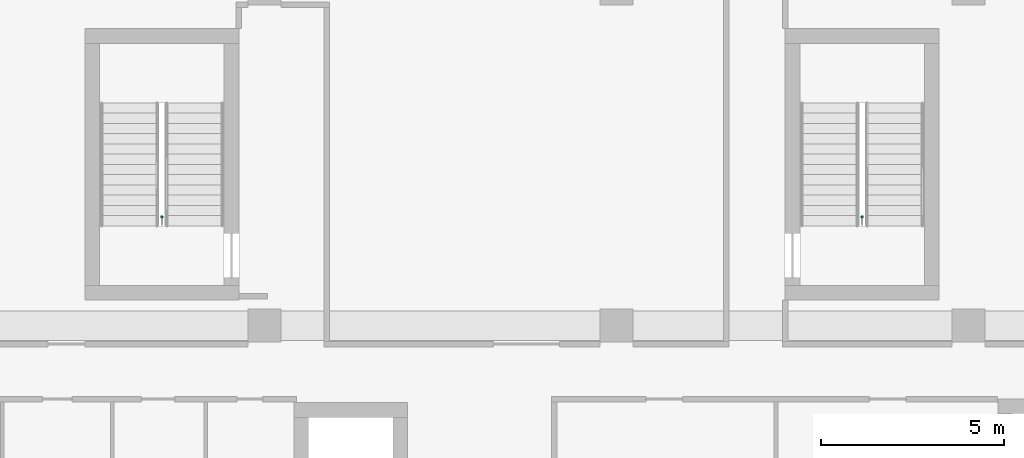
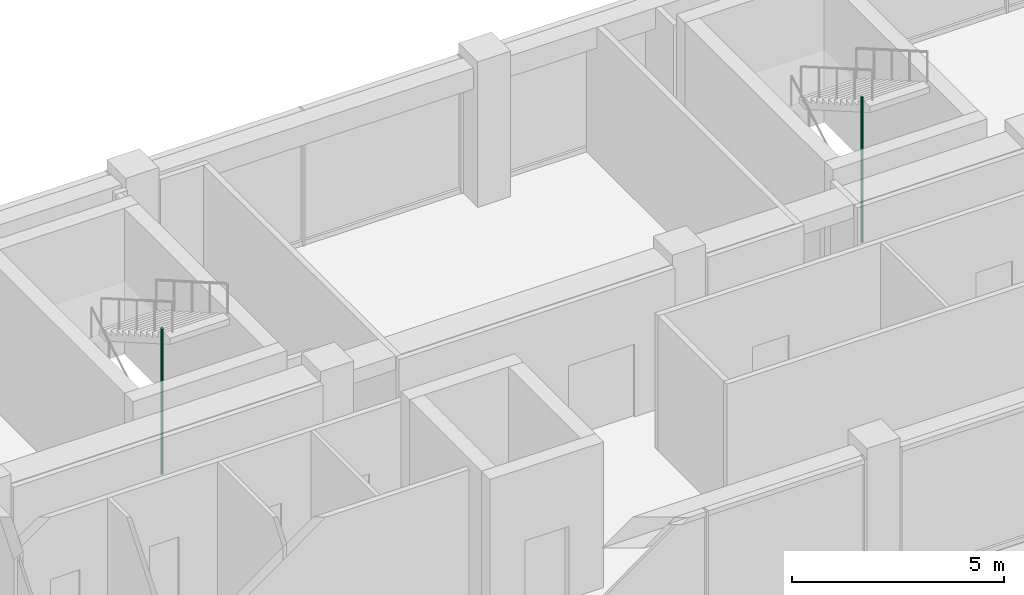
# One storey, part 36 of 38: 2 pipe segments.
"""IFC4 building model written with IfcOpenShell, lengths in metres."""

from ifc_helpers import new_model, si_unit, direction, frame, origin, origin_2d, place, context, subcontext, project, spatial, circle, extrude, element, save


model = new_model("IFC4")

# Units and contexts
model_context = context("Model", 3, precision=1e-05, world=origin(), true_north=direction((0.0, 1.0)))
body_context = subcontext(model_context, "Body", "Model", "MODEL_VIEW")
ifc_project = project(units=[si_unit("LENGTHUNIT", "METRE"), si_unit("AREAUNIT", "SQUARE_METRE"), si_unit("VOLUMEUNIT", "CUBIC_METRE"), si_unit("PLANEANGLEUNIT", "RADIAN"), si_unit("MASSUNIT", "GRAM", prefix="KILO")], contexts=[model_context])

# Site, building, storey
site_placement = place(None, origin())
site = spatial("IfcSite", under=ifc_project, at=site_placement, CompositionType="ELEMENT")
building_placement = place(site_placement, origin())
building = spatial("IfcBuilding", under=site, at=building_placement, Name="Nzadi Deep Aquarium and Research Tower", CompositionType="ELEMENT")
storey_placement = place(building_placement, frame((0.0, 0.0, 65.5)))
storey = spatial("IfcBuildingStorey", under=building, at=storey_placement, Name="L13", CompositionType="ELEMENT", Elevation=65.5)

# Pipe segments
for number, where, z_axis, x_axis, name in (
    (1, (6.800048828125, 39.77001953125, 0.0), (0.0, 0.0, 1.0), (1.0, 0.0, 0.0), "Dry riser ST-Z1-NW L13"),
    (2, (25.89990234375, 39.77001953125, 0.0), (0.0, 0.0, 1.0), (1.0, 0.0, 0.0), "Dry riser ST-Z1-NE L13"),
):
    element("IfcPipeSegment", number, at=place(storey_placement, frame(where, z_axis=z_axis, x_axis=x_axis)), inside=storey, Name=name, PredefinedType="RIGIDSEGMENT", context=body_context, shape_type="SweptSolid", body=[
        extrude(circle(Radius=0.034912109375, at=origin_2d()), origin(), (0.0, 0.0, 1.0), 4.199951171875),
    ])

save(model, "model.ifc")
